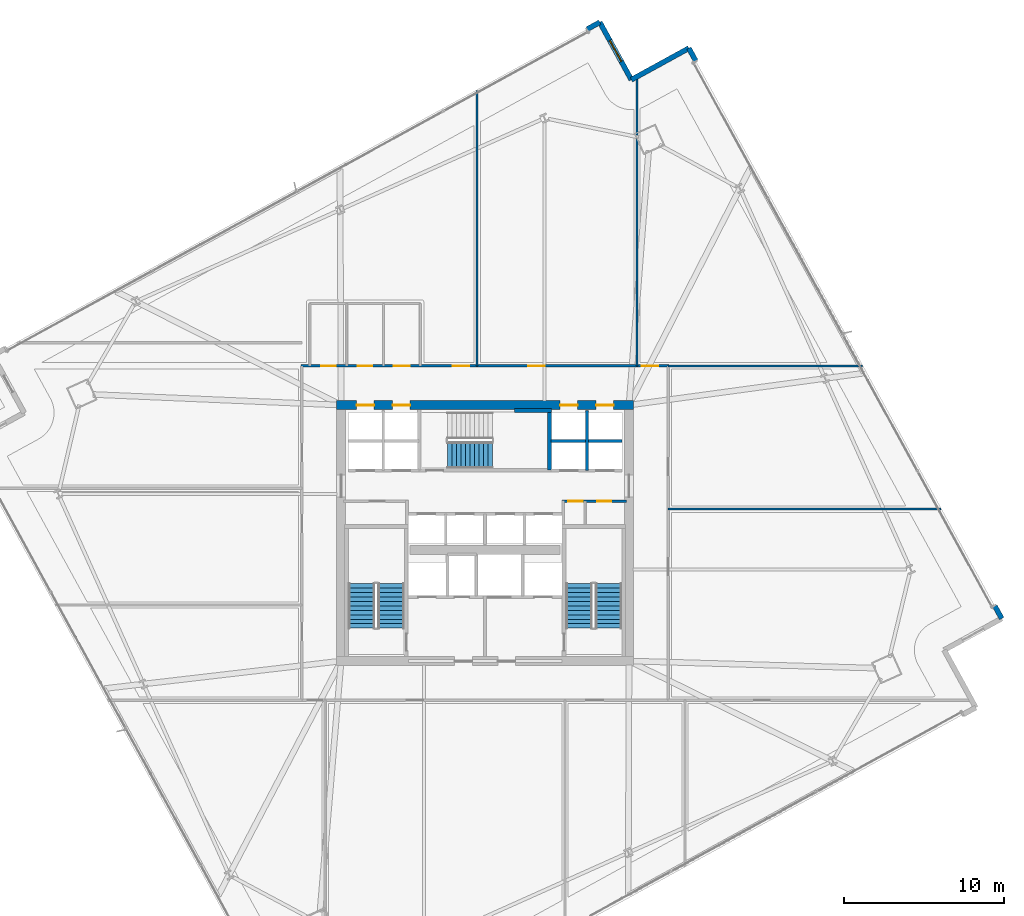
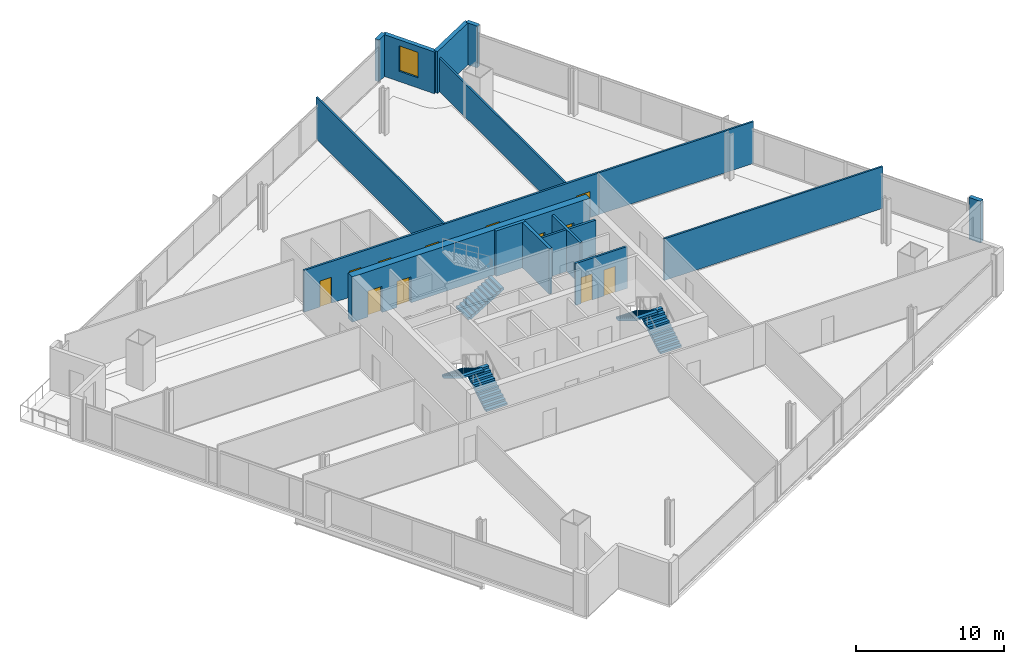
# One storey, part 26 of 33: 16 walls, 12 doors, 5 stair flights, 1 window, 13 openings, 3 elements without a shape of their own.
"""IFC4 building model written with IfcOpenShell, lengths in metres."""

import ifcopenshell
import ifcopenshell.guid

model = None  # the IFC model being written
_history = None  # IfcOwnerHistory: only IFC2X3 demands one
_inside = {}  # id of a spatial element -> (the spatial element, [elements in it])
_under = {}  # id of a project, library or spatial element -> (it, [spatial elements below it])
_declared = {}  # id of a project -> (the project, [libraries it declares])
_typed = {}  # id of a type object -> (the type object, [elements of that type])
_made_of = {}  # id of a material, layer set ... -> (it, [elements and type objects made of it])


def new_model(schema):
    """Start an empty IFC model of exactly this schema.

    Asked for "IFC4X3", IfcOpenShell would pick the latest addendum, in which some entities
    have other attributes; the version numbers below select the first issue.
    IFC2X3 requires an IfcOwnerHistory on every rooted entity: one is made here for all.
    """
    global model, _history
    if schema == "IFC4X3":
        model = ifcopenshell.file(schema_version=(4, 3, 0, 0))
    else:
        model = ifcopenshell.file(schema=schema)
    _inside.clear()
    _under.clear()
    _declared.clear()
    _typed.clear()
    _made_of.clear()
    _history = None
    if model.schema == "IFC2X3":
        org = make("IfcOrganization", Name="unknown")
        user = make(
            "IfcPersonAndOrganization",
            ThePerson=make("IfcPerson", FamilyName="unknown"),
            TheOrganization=org,
        )
        app = make(
            "IfcApplication",
            ApplicationDeveloper=org,
            Version="unknown",
            ApplicationFullName="unknown",
            ApplicationIdentifier="unknown",
        )
        _history = make(
            "IfcOwnerHistory",
            OwningUser=user,
            OwningApplication=app,
            ChangeAction="ADDED",
            CreationDate=0,
        )
    return model


def make(cls, **values):
    """One entity of the class cls with the attributes given. An attribute that is None is left unset."""
    return model.create_entity(
        cls, **{name: value for name, value in values.items() if value is not None}
    )


def rooted(cls, **values):
    """An entity with a GlobalId (a new one), such as an element, a storey or a relation."""
    return make(cls, GlobalId=ifcopenshell.guid.new(), OwnerHistory=_history, **values)


def si_unit(unit_type, name, prefix=None):
    """IfcSIUnit, for example si_unit("LENGTHUNIT", "METRE", prefix="MILLI")."""
    return make("IfcSIUnit", UnitType=unit_type, Prefix=prefix, Name=name)


def assignment(units):
    """IfcUnitAssignment: the units of a project."""
    return None if units is None else make("IfcUnitAssignment", Units=units)


def point(xyz):
    """IfcCartesianPoint."""
    return None if xyz is None else make("IfcCartesianPoint", Coordinates=xyz)


def direction(xyz):
    """IfcDirection."""
    return None if xyz is None else make("IfcDirection", DirectionRatios=xyz)


def frame(location, z_axis=None, x_axis=None):
    """IfcAxis2Placement3D, a coordinate frame: its origin and axes. An axis left out is left unset."""
    return make(
        "IfcAxis2Placement3D",
        Location=point(location),
        Axis=direction(z_axis),
        RefDirection=direction(x_axis),
    )


def frame_2d(location, x_axis=None):
    """IfcAxis2Placement2D, a coordinate frame in the plane: its origin and x axis."""
    return make(
        "IfcAxis2Placement2D", Location=point(location), RefDirection=direction(x_axis)
    )


def origin():
    """The frame at (0, 0, 0) with its axes left unset."""
    return frame((0.0, 0.0, 0.0))


def place(relative_to, where):
    """IfcLocalPlacement: puts the frame where relative to a parent placement (None: the world)."""
    return make(
        "IfcLocalPlacement", PlacementRelTo=relative_to, RelativePlacement=where
    )


def context(
    kind, dimensions, precision=None, world=None, true_north=None, identifier=None
):
    """IfcGeometricRepresentationContext, for example the 3D "Model" context."""
    return make(
        "IfcGeometricRepresentationContext",
        ContextIdentifier=identifier,
        ContextType=kind,
        CoordinateSpaceDimension=dimensions,
        Precision=precision,
        WorldCoordinateSystem=world,
        TrueNorth=true_north,
    )


def subcontext(parent, identifier, kind, view, scale=None):
    """IfcGeometricRepresentationSubContext, for example "Body" below "Model"."""
    return make(
        "IfcGeometricRepresentationSubContext",
        ContextIdentifier=identifier,
        ContextType=kind,
        ParentContext=parent,
        TargetScale=scale,
        TargetView=view,
    )


def project(units=None, contexts=None):
    """IfcProject with its units and contexts."""
    return rooted(
        "IfcProject",
        Name="project",
        RepresentationContexts=contexts,
        UnitsInContext=assignment(units),
    )


def spatial(cls, under=None, at=None, **own):
    """A site, building, storey or space (cls), placed at a placement, below another one or the project."""
    s = rooted(cls, ObjectPlacement=at, **own)
    if under is not None:
        _under.setdefault(under.id(), (under, []))[1].append(s)
    return s


def polyline(points):
    """IfcPolyline through the points."""
    return make("IfcPolyline", Points=[point(p) for p in points])


def profile(cls, at=None, kind="AREA", **sizes):
    """A parametric profile (cls). Its sizes go by their IFC names, for example OverallWidth=200.0."""
    return make(cls, ProfileType=kind, Position=at, **sizes)


def rectangle(**sizes):
    """IfcRectangleProfileDef."""
    return profile("IfcRectangleProfileDef", **sizes)


def outline(outer, holes=None, kind="AREA"):
    """IfcArbitraryClosedProfileDef: a profile drawn as a closed curve; with holes, ...WithVoids."""
    if holes is None:
        return make("IfcArbitraryClosedProfileDef", ProfileType=kind, OuterCurve=outer)
    return make(
        "IfcArbitraryProfileDefWithVoids",
        ProfileType=kind,
        OuterCurve=outer,
        InnerCurves=holes,
    )


def extrude(swept, where, along, depth):
    """IfcExtrudedAreaSolid: the profile swept, set in the frame where, extruded along a direction by depth."""
    return make(
        "IfcExtrudedAreaSolid",
        SweptArea=swept,
        Position=where,
        ExtrudedDirection=direction(along),
        Depth=depth,
    )


def shape(context_of_items, identifier, shape_type, items):
    """IfcShapeRepresentation: the items that make up one representation, for example the "Body"."""
    return make(
        "IfcShapeRepresentation",
        ContextOfItems=context_of_items,
        RepresentationIdentifier=identifier,
        RepresentationType=shape_type,
        Items=items,
    )


def material(Name=None, Category=None):
    """IfcMaterial."""
    return make("IfcMaterial", Name=Name, Category=Category)


def layer(
    of_material, thickness, ventilated=None, Name=None, Category=None, Priority=None
):
    """IfcMaterialLayer: one layer of a wall or slab, of a material (None: an air gap)."""
    return make(
        "IfcMaterialLayer",
        Material=of_material,
        LayerThickness=thickness,
        IsVentilated=ventilated,
        Name=Name,
        Category=Category,
        Priority=Priority,
    )


def layer_set(layers, Name=None):
    """IfcMaterialLayerSet."""
    return make("IfcMaterialLayerSet", MaterialLayers=layers, LayerSetName=Name)


def made_of(thing, what):
    """Note that an element or type object is made of a material, layer set ...; save() writes the relation."""
    if what is not None:
        _made_of.setdefault(what.id(), (what, []))[1].append(thing)
    return thing


def type_object(cls, material=None, **own):
    """A type object (cls), such as IfcWallType, which elements share."""
    return made_of(rooted(cls, **own), material)


def element(
    cls,
    number,
    at=None,
    inside=None,
    cuts=None,
    type_object=None,
    material=None,
    context=None,
    identifier="Body",
    shape_type=None,
    held_by="IfcProductDefinitionShape",
    body=None,
    shapes=None,
    **own,
):
    """One element of the class cls, such as IfcWall. Its Tag is "e" and its number.

    at: its placement. inside: the storey or other place that contains it. cuts: it is an
    opening in that element (IfcRelVoidsElement). A single representation is given by context,
    identifier, shape_type and body (its items); several are given by shapes. held_by: the class
    of the entity that holds the representations. save() writes the other relations.
    """
    e = rooted(cls, Tag="e%d" % number, ObjectPlacement=at, **own)
    if body is not None:
        shapes = [shape(context, identifier, shape_type, body)]
    if shapes is not None:
        e.Representation = make(held_by, Representations=shapes)
    if inside is not None:
        _inside.setdefault(inside.id(), (inside, []))[1].append(e)
    if cuts is not None:
        rooted(
            "IfcRelVoidsElement", RelatingBuildingElement=cuts, RelatedOpeningElement=e
        )
    if type_object is not None:
        _typed.setdefault(type_object.id(), (type_object, []))[1].append(e)
    return made_of(e, material)


def fill(opening, filler):
    """IfcRelFillsElement: the door or window that sits in an opening."""
    return rooted(
        "IfcRelFillsElement",
        RelatingOpeningElement=opening,
        RelatedBuildingElement=filler,
    )


def aggregate(whole, parts):
    """IfcRelAggregates: a whole, such as a stair, and the parts it consists of."""
    return rooted("IfcRelAggregates", RelatingObject=whole, RelatedObjects=parts)


def save(model, path):
    """Write the relations noted so far, then the file.

    IfcRelAggregates (storeys below a building ...), IfcRelContainedInSpatialStructure (elements
    in a storey), IfcRelDefinesByType, IfcRelAssociatesMaterial and IfcRelDeclares: one each for
    every whole, place, type object, material and project.
    """
    for whole, parts in _under.values():
        aggregate(whole, parts)
    for where, things in _inside.values():
        rooted(
            "IfcRelContainedInSpatialStructure",
            RelatedElements=things,
            RelatingStructure=where,
        )
    for kind, things in _typed.values():
        rooted("IfcRelDefinesByType", RelatedObjects=things, RelatingType=kind)
    for what, things in _made_of.values():
        rooted("IfcRelAssociatesMaterial", RelatedObjects=things, RelatingMaterial=what)
    for by, libraries in _declared.values():
        rooted("IfcRelDeclares", RelatingContext=by, RelatedDefinitions=libraries)
    model.write(path)


model = new_model("IFC4")

# Units and contexts
model_context = context("Model", 3, precision=1e-05, world=origin(), true_north=direction((0.0, 1.0)))
body_context = subcontext(model_context, "Body", "Model", "MODEL_VIEW")
ifc_project = project(units=[si_unit("LENGTHUNIT", "METRE"), si_unit("AREAUNIT", "SQUARE_METRE"), si_unit("VOLUMEUNIT", "CUBIC_METRE"), si_unit("PLANEANGLEUNIT", "RADIAN"), si_unit("MASSUNIT", "GRAM", prefix="KILO")], contexts=[model_context])

# Site, building, storey
site_placement = place(None, origin())
site = spatial("IfcSite", under=ifc_project, at=site_placement, CompositionType="ELEMENT")
building_placement = place(site_placement, origin())
building = spatial("IfcBuilding", under=site, at=building_placement, Name="Haldenkirk Collegiate Tower", CompositionType="ELEMENT")
storey_placement = place(building_placement, frame((0.0, 0.0, 124.199951171875)))
storey = spatial("IfcBuildingStorey", under=building, at=storey_placement, Name="L30", CompositionType="ELEMENT", Elevation=124.199951171875)

# Wall, openings, doors
ifc_material_1 = material(Name="Concrete f'c 70 MPa", Category="concrete")
ifc_layer_1 = layer(ifc_material_1, 0.550048828125)
ifc_layer_set_1 = layer_set([ifc_layer_1], Name="Concrete f'c 70 MPa")
wall_type_1 = type_object("IfcWallType", Name="WL-CORE-550", PredefinedType="SHEAR", material=ifc_layer_set_1)
wall_1_placement = place(storey_placement, frame((26.72509765625, 34.0, 0.0), z_axis=(0.0, 0.0, 1.0), x_axis=(1.0, 0.0, 0.0)))
wall_1 = element("IfcWall", 1, at=wall_1_placement, inside=storey, type_object=wall_type_1, Name="L30 central core shear wall N", PredefinedType="SHEAR", context=body_context, shape_type="SweptSolid", body=[
    extrude(rectangle(XDim=18.5498046875, YDim=0.550048828125, at=frame_2d((9.27490234375, 0.0))), origin(), (0.0, 0.0, 1.0), 3.75),
])
opening_1_placement = place(wall_1_placement, frame((1.239990234375, 0.0, 0.0)))
opening_1 = element("IfcOpeningElement", 2, at=opening_1_placement, cuts=wall_1, Name="Opening LD-11", PredefinedType="OPENING", context=body_context, shape_type="SweptSolid", body=[
    extrude(rectangle(XDim=1.10009765625, YDim=2.14990234375, at=frame_2d((0.550048828125, 1.074951171875))), frame((0.0, 0.284912109375, 0.0), z_axis=(0.0, -1.0, 0.0), x_axis=(1.0, 0.0, 0.0)), (0.0, 0.0, 1.0), 0.570068359375),
])
opening_2_placement = place(wall_1_placement, frame((3.489990234375, 0.0, 0.0)))
opening_2 = element("IfcOpeningElement", 3, at=opening_2_placement, cuts=wall_1, Name="Opening LD-11", PredefinedType="OPENING", context=body_context, shape_type="SweptSolid", body=[
    extrude(rectangle(XDim=1.10009765625, YDim=2.14990234375, at=frame_2d((0.550048828125, 1.074951171875))), frame((0.0, 0.284912109375, 0.0), z_axis=(0.0, -1.0, 0.0), x_axis=(1.0, 0.0, 0.0)), (0.0, 0.0, 1.0), 0.570068359375),
])
opening_3_placement = place(wall_1_placement, frame((13.9599609375, 0.0, 0.0)))
opening_3 = element("IfcOpeningElement", 4, at=opening_3_placement, cuts=wall_1, Name="Opening LD-11", PredefinedType="OPENING", context=body_context, shape_type="SweptSolid", body=[
    extrude(rectangle(XDim=1.10009765625, YDim=2.14990234375, at=frame_2d((0.550048828125, 1.074951171875))), frame((0.0, 0.284912109375, 0.0), z_axis=(0.0, -1.0, 0.0), x_axis=(1.0, 0.0, 0.0)), (0.0, 0.0, 1.0), 0.570068359375),
])
opening_4_placement = place(wall_1_placement, frame((16.2099609375, 0.0, 0.0)))
opening_4 = element("IfcOpeningElement", 5, at=opening_4_placement, cuts=wall_1, Name="Opening LD-11", PredefinedType="OPENING", context=body_context, shape_type="SweptSolid", body=[
    extrude(rectangle(XDim=1.10009765625, YDim=2.14990234375, at=frame_2d((0.550048828125, 1.074951171875))), frame((0.0, 0.284912109375, 0.0), z_axis=(0.0, -1.0, 0.0), x_axis=(1.0, 0.0, 0.0)), (0.0, 0.0, 1.0), 0.570068359375),
])
ifc_material_2 = material(Name="Brushed architectural stainless steel", Category="steel")
ifc_layer_2 = layer(ifc_material_2, 0.06005859375)
ifc_layer_set_2 = layer_set([ifc_layer_2], Name="Brushed architectural stainless steel")
door_type_1 = type_object("IfcDoorType", Name="LD-PASS-1100", OperationType="NOTDEFINED", PredefinedType="DOOR", material=ifc_layer_set_2)
door_1_placement = place(opening_1_placement, origin())
door_1 = element("IfcDoor", 6, at=door_1_placement, inside=storey, type_object=door_type_1, Name="L30 Elevator PL3 sliding landing door", OperationType="SLIDING_TO_LEFT", OverallHeight=2.14990234375, OverallWidth=1.10009765625, PredefinedType="DOOR", context=body_context, shape_type="SweptSolid", body=[
    extrude(rectangle(XDim=1.10009765625, YDim=2.14990234375, at=frame_2d((0.550048828125, 1.074951171875))), frame((0.0, 0.02490234375, 0.0), z_axis=(0.0, -1.0, 0.0), x_axis=(1.0, 0.0, 0.0)), (0.0, 0.0, 1.0), 0.050048828125),
])
fill(opening_1, door_1)
door_2_placement = place(opening_2_placement, origin())
door_2 = element("IfcDoor", 7, at=door_2_placement, inside=storey, type_object=door_type_1, Name="L30 Elevator PL4 sliding landing door", OperationType="SLIDING_TO_LEFT", OverallHeight=2.14990234375, OverallWidth=1.10009765625, PredefinedType="DOOR", context=body_context, shape_type="SweptSolid", body=[
    extrude(rectangle(XDim=1.10009765625, YDim=2.14990234375, at=frame_2d((0.550048828125, 1.074951171875))), frame((0.0, 0.02490234375, 0.0), z_axis=(0.0, -1.0, 0.0), x_axis=(1.0, 0.0, 0.0)), (0.0, 0.0, 1.0), 0.050048828125),
])
fill(opening_2, door_2)
door_3_placement = place(opening_3_placement, origin())
door_3 = element("IfcDoor", 8, at=door_3_placement, inside=storey, type_object=door_type_1, Name="L30 Elevator PM3 sliding landing door", OperationType="SLIDING_TO_LEFT", OverallHeight=2.14990234375, OverallWidth=1.10009765625, PredefinedType="DOOR", context=body_context, shape_type="SweptSolid", body=[
    extrude(rectangle(XDim=1.10009765625, YDim=2.14990234375, at=frame_2d((0.550048828125, 1.074951171875))), frame((0.0, 0.02490234375, 0.0), z_axis=(0.0, -1.0, 0.0), x_axis=(1.0, 0.0, 0.0)), (0.0, 0.0, 1.0), 0.050048828125),
])
fill(opening_3, door_3)
door_4_placement = place(opening_4_placement, origin())
door_4 = element("IfcDoor", 9, at=door_4_placement, inside=storey, type_object=door_type_1, Name="L30 Elevator PM4 sliding landing door", OperationType="SLIDING_TO_LEFT", OverallHeight=2.14990234375, OverallWidth=1.10009765625, PredefinedType="DOOR", context=body_context, shape_type="SweptSolid", body=[
    extrude(rectangle(XDim=1.10009765625, YDim=2.14990234375, at=frame_2d((0.550048828125, 1.074951171875))), frame((0.0, 0.02490234375, 0.0), z_axis=(0.0, -1.0, 0.0), x_axis=(1.0, 0.0, 0.0)), (0.0, 0.0, 1.0), 0.050048828125),
])
fill(opening_4, door_4)

# Walls
ifc_material_3 = material(Name="Precast concrete f'c 40 MPa", Category="concrete")
ifc_layer_3 = layer(ifc_material_3, 0.320068359375)
ifc_layer_set_3 = layer_set([ifc_layer_3], Name="Precast concrete f'c 40 MPa")
wall_type_2 = type_object("IfcWallType", Name="WL-EXT-TWR-320", PredefinedType="STANDARD", material=ifc_layer_set_3)
for number, where, z_axis, x_axis, name in (
    (10, (48.739501953125, 56.314453125, 0.0), (0.0, 0.0, 1.0), (0.480960428181, -0.876742303373, 0.0), "L30 precast corner pier EL"),
    (11, (67.870849609375, 21.44287109375, 0.0), (0.0, 0.0, 1.0), (0.480960428181, -0.876742303373, 0.0), "L30 precast corner pier ER"),
):
    element("IfcWall", number, at=place(storey_placement, frame(where, z_axis=z_axis, x_axis=x_axis)), inside=storey, type_object=wall_type_2, Name=name, PredefinedType="STANDARD", context=body_context, shape_type="SweptSolid", body=[
        extrude(rectangle(XDim=0.89990234375, YDim=0.320068359375, at=frame_2d((0.449951171875, 0.0))), origin(), (0.0, 0.0, 1.0), 3.449951171875),
    ])
wall_2_placement = place(storey_placement, frame((45.14501953125, 54.342529296875, 0.0), z_axis=(0.0, 0.0, 1.0), x_axis=(0.876734650503, 0.480974378327, 0.0)))
element("IfcWall", 12, at=wall_2_placement, inside=storey, type_object=wall_type_2, Name="L30 bronze precast notch wall 05", PredefinedType="STANDARD", context=body_context, shape_type="SweptSolid", body=[
    extrude(rectangle(XDim=4.099853515625, YDim=0.320068359375, at=frame_2d((2.0498046875, 0.0))), origin(), (0.0, 0.0, 1.0), 3.449951171875),
])

# Wall, opening, window
wall_3_placement = place(storey_placement, frame((43.1728515625, 57.93701171875, 0.0), z_axis=(0.0, 0.0, 1.0), x_axis=(0.481020149237, -0.876709539145, 0.0)))
wall_3 = element("IfcWall", 13, at=wall_3_placement, inside=storey, type_object=wall_type_2, Name="L30 bronze precast notch wall 06", PredefinedType="STANDARD", context=body_context, shape_type="SweptSolid", body=[
    extrude(rectangle(XDim=4.099853515625, YDim=0.320068359375, at=frame_2d((2.0498046875, 0.0))), origin(), (0.0, 0.0, 1.0), 3.449951171875),
])
opening_5_placement = place(wall_3_placement, frame((1.300048828125, 0.0, 0.85009765625)))
opening_5 = element("IfcOpeningElement", 14, at=opening_5_placement, cuts=wall_3, Name="Opening W-04", PredefinedType="OPENING", context=body_context, shape_type="SweptSolid", body=[
    extrude(rectangle(XDim=1.5, YDim=2.10009765625, at=frame_2d((0.75, 1.050048828125))), frame((0.0, 0.169921875, 0.0), z_axis=(0.0, -1.0, 0.0), x_axis=(1.0, 0.0, 0.0)), (0.0, 0.0, 1.0), 0.340087890625),
])
ifc_material_4 = material(Name="Low-E argon triple insulating glass", Category="glass")
ifc_layer_4 = layer(ifc_material_4, 0.090087890625)
ifc_layer_set_4 = layer_set([ifc_layer_4], Name="Low-E argon triple insulating glass")
window_type = type_object("IfcWindowType", Name="WN-Z2-1500X2100", PartitioningType="SINGLE_PANEL", PredefinedType="WINDOW", material=ifc_layer_set_4)
window_placement = place(opening_5_placement, origin())
window = element("IfcWindow", 15, at=window_placement, inside=storey, type_object=window_type, Name="L30 precast-frame academic window 5", OverallHeight=2.10009765625, OverallWidth=1.5, PartitioningType="SINGLE_PANEL", PredefinedType="WINDOW", context=body_context, shape_type="SweptSolid", body=[
    extrude(rectangle(XDim=1.5, YDim=2.10009765625, at=frame_2d((0.75, 1.050048828125))), frame((0.0, 0.030029296875, 0.0), z_axis=(0.0, -1.0, 0.0), x_axis=(1.0, 0.0, 0.0)), (0.0, 0.0, 1.0), 0.06005859375),
])
fill(opening_5, window)

# Wall
wall_4_placement = place(storey_placement, frame((42.3837890625, 57.504150390625, 0.0), z_axis=(0.0, 0.0, 1.0), x_axis=(0.876742303373, 0.480960428181, 0.0)))
element("IfcWall", 16, at=wall_4_placement, inside=storey, type_object=wall_type_2, Name="L30 precast corner pier NR", PredefinedType="STANDARD", context=body_context, shape_type="SweptSolid", body=[
    extrude(rectangle(XDim=0.89990234375, YDim=0.320068359375, at=frame_2d((0.449951171875, 0.0))), origin(), (0.0, 0.0, 1.0), 3.449951171875),
])

# Wall, openings, doors
ifc_material_5 = material(Name="Acoustic fire-rated gypsum partition", Category="concrete")
ifc_layer_5 = layer(ifc_material_5, 0.159912109375)
ifc_layer_set_5 = layer_set([ifc_layer_5], Name="Acoustic fire-rated gypsum partition")
wall_type_3 = type_object("IfcWallType", Name="WL-INT-CORR-160", PredefinedType="PARTITIONING", material=ifc_layer_set_5)
wall_5_placement = place(storey_placement, frame((40.800048828125, 27.97998046875, 0.0), z_axis=(0.0, 0.0, 1.0), x_axis=(1.0, 0.0, 0.0)))
wall_5 = element("IfcWall", 17, at=wall_5_placement, inside=storey, type_object=wall_type_3, Name="L30 interior partition IW-L30-VCSE-N", PredefinedType="PARTITIONING", context=body_context, shape_type="SweptSolid", body=[
    extrude(rectangle(XDim=4.050048828125, YDim=0.159912109375, at=frame_2d((2.02490234375, 0.0))), origin(), (0.0, 0.0, 1.0), 3.449951171875),
])
opening_6_placement = place(wall_5_placement, frame((0.407470703125, 0.0, 0.0)))
opening_6 = element("IfcOpeningElement", 18, at=opening_6_placement, cuts=wall_5, Name="Opening D-11", PredefinedType="OPENING", context=body_context, shape_type="SweptSolid", body=[
    extrude(rectangle(XDim=0.89990234375, YDim=2.14990234375, at=frame_2d((0.449951171875, 1.074951171875))), frame((0.0, 0.08984375, 0.0), z_axis=(0.0, -1.0, 0.0), x_axis=(1.0, 0.0, 0.0)), (0.0, 0.0, 1.0), 0.179931640625),
])
opening_7_placement = place(wall_5_placement, frame((2.199951171875, 0.0, 0.0)))
opening_7 = element("IfcOpeningElement", 19, at=opening_7_placement, cuts=wall_5, Name="Opening D-11", PredefinedType="OPENING", context=body_context, shape_type="SweptSolid", body=[
    extrude(rectangle(XDim=0.89990234375, YDim=2.14990234375, at=frame_2d((0.449951171875, 1.074951171875))), frame((0.0, 0.08984375, 0.0), z_axis=(0.0, -1.0, 0.0), x_axis=(1.0, 0.0, 0.0)), (0.0, 0.0, 1.0), 0.179931640625),
])
ifc_material_6 = material(Name="Solid-core architectural oak fire door", Category="wood")
ifc_layer_6 = layer(ifc_material_6, 0.06005859375)
ifc_layer_set_6 = layer_set([ifc_layer_6], Name="Solid-core architectural oak fire door")
door_type_2 = type_object("IfcDoorType", Name="DR-INT-FD60-900", OperationType="NOTDEFINED", PredefinedType="DOOR", material=ifc_layer_set_6)
door_5_placement = place(opening_6_placement, origin())
door_5 = element("IfcDoor", 20, at=door_5_placement, inside=storey, type_object=door_type_2, Name="L30 core copy room door", OperationType="SINGLE_SWING_LEFT", OverallHeight=2.14990234375, OverallWidth=0.89990234375, PredefinedType="DOOR", context=body_context, shape_type="SweptSolid", body=[
    extrude(rectangle(XDim=0.89990234375, YDim=2.14990234375, at=frame_2d((0.449951171875, 1.074951171875))), frame((0.0, 0.02490234375, 0.0), z_axis=(0.0, -1.0, 0.0), x_axis=(1.0, 0.0, 0.0)), (0.0, 0.0, 1.0), 0.050048828125),
])
fill(opening_6, door_5)
door_6_placement = place(opening_7_placement, origin())
door_6 = element("IfcDoor", 21, at=door_6_placement, inside=storey, type_object=door_type_2, Name="L30 core records store door", OperationType="SINGLE_SWING_RIGHT", OverallHeight=2.14990234375, OverallWidth=0.89990234375, PredefinedType="DOOR", context=body_context, shape_type="SweptSolid", body=[
    extrude(rectangle(XDim=0.89990234375, YDim=2.14990234375, at=frame_2d((0.449951171875, 1.074951171875))), frame((0.0, 0.02490234375, 0.0), z_axis=(0.0, -1.0, 0.0), x_axis=(1.0, 0.0, 0.0)), (0.0, 0.0, 1.0), 0.050048828125),
])
fill(opening_7, door_6)

wall_6_placement = place(storey_placement, frame((24.5, 36.449951171875, 0.0), z_axis=(0.0, 0.0, 1.0), x_axis=(1.0, 0.0, 0.0)))
wall_6 = element("IfcWall", 22, at=wall_6_placement, inside=storey, type_object=wall_type_3, Name="L30 interior partition IW-L30-CN", PredefinedType="PARTITIONING", context=body_context, shape_type="SweptSolid", body=[
    extrude(rectangle(XDim=23.0, YDim=0.159912109375, at=frame_2d((11.5, 0.0))), origin(), (0.0, 0.0, 1.0), 3.449951171875),
])
opening_8_placement = place(wall_6_placement, frame((1.25, 0.0, 0.0)))
opening_8 = element("IfcOpeningElement", 23, at=opening_8_placement, cuts=wall_6, Name="Opening D-13", PredefinedType="OPENING", context=body_context, shape_type="SweptSolid", body=[
    extrude(rectangle(XDim=0.89990234375, YDim=2.14990234375, at=frame_2d((0.449951171875, 1.074951171875))), frame((0.0, 0.08984375, 0.0), z_axis=(0.0, -1.0, 0.0), x_axis=(1.0, 0.0, 0.0)), (0.0, 0.0, 1.0), 0.179931640625),
])
opening_9_placement = place(wall_6_placement, frame((3.550048828125, 0.0, 0.0)))
opening_9 = element("IfcOpeningElement", 24, at=opening_9_placement, cuts=wall_6, Name="Opening D-13", PredefinedType="OPENING", context=body_context, shape_type="SweptSolid", body=[
    extrude(rectangle(XDim=0.89990234375, YDim=2.14990234375, at=frame_2d((0.449951171875, 1.074951171875))), frame((0.0, 0.08984375, 0.0), z_axis=(0.0, -1.0, 0.0), x_axis=(1.0, 0.0, 0.0)), (0.0, 0.0, 1.0), 0.179931640625),
])
opening_10_placement = place(wall_6_placement, frame((5.800048828125, 0.0, 0.0)))
opening_10 = element("IfcOpeningElement", 25, at=opening_10_placement, cuts=wall_6, Name="Opening D-14", PredefinedType="OPENING", context=body_context, shape_type="SweptSolid", body=[
    extrude(rectangle(XDim=1.0, YDim=2.14990234375, at=frame_2d((0.5, 1.074951171875))), frame((0.0, 0.08984375, 0.0), z_axis=(0.0, -1.0, 0.0), x_axis=(1.0, 0.0, 0.0)), (0.0, 0.0, 1.0), 0.179931640625),
])
opening_11_placement = place(wall_6_placement, frame((9.465087890625, 0.0, 0.0)))
opening_11 = element("IfcOpeningElement", 26, at=opening_11_placement, cuts=wall_6, Name="Opening D-09", PredefinedType="OPENING", context=body_context, shape_type="SweptSolid", body=[
    extrude(rectangle(XDim=1.050048828125, YDim=2.14990234375, at=frame_2d((0.52490234375, 1.074951171875))), frame((0.0, 0.08984375, 0.0), z_axis=(0.0, -1.0, 0.0), x_axis=(1.0, 0.0, 0.0)), (0.0, 0.0, 1.0), 0.179931640625),
])
opening_12_placement = place(wall_6_placement, frame((14.195068359375, 0.0, 0.0)))
opening_12 = element("IfcOpeningElement", 27, at=opening_12_placement, cuts=wall_6, Name="Opening D-09", PredefinedType="OPENING", context=body_context, shape_type="SweptSolid", body=[
    extrude(rectangle(XDim=1.050048828125, YDim=2.14990234375, at=frame_2d((0.52490234375, 1.074951171875))), frame((0.0, 0.08984375, 0.0), z_axis=(0.0, -1.0, 0.0), x_axis=(1.0, 0.0, 0.0)), (0.0, 0.0, 1.0), 0.179931640625),
])
opening_13_placement = place(wall_6_placement, frame((21.280029296875, 0.0, 0.0)))
opening_13 = element("IfcOpeningElement", 28, at=opening_13_placement, cuts=wall_6, Name="Opening D-09", PredefinedType="OPENING", context=body_context, shape_type="SweptSolid", body=[
    extrude(rectangle(XDim=1.050048828125, YDim=2.14990234375, at=frame_2d((0.52490234375, 1.074951171875))), frame((0.0, 0.08984375, 0.0), z_axis=(0.0, -1.0, 0.0), x_axis=(1.0, 0.0, 0.0)), (0.0, 0.0, 1.0), 0.179931640625),
])
ifc_layer_7 = layer(ifc_material_6, 0.06005859375)
ifc_layer_set_7 = layer_set([ifc_layer_7], Name="Solid-core architectural oak fire door")
door_type_3 = type_object("IfcDoorType", Name="DR-INT-ACC-1000", OperationType="NOTDEFINED", PredefinedType="DOOR", material=ifc_layer_set_7)
door_7_placement = place(opening_10_placement, origin())
door_7 = element("IfcDoor", 29, at=door_7_placement, inside=storey, type_object=door_type_3, Name="L30 Accessible WC door", OperationType="SINGLE_SWING_LEFT", OverallHeight=2.14990234375, OverallWidth=1.0, PredefinedType="DOOR", context=body_context, shape_type="SweptSolid", body=[
    extrude(rectangle(XDim=1.0, YDim=2.14990234375, at=frame_2d((0.5, 1.074951171875))), frame((0.0, 0.02490234375, 0.0), z_axis=(0.0, -1.0, 0.0), x_axis=(1.0, 0.0, 0.0)), (0.0, 0.0, 1.0), 0.050048828125),
])
fill(opening_10, door_7)
ifc_layer_8 = layer(ifc_material_6, 0.06005859375)
ifc_layer_set_8 = layer_set([ifc_layer_8], Name="Solid-core architectural oak fire door")
door_type_4 = type_object("IfcDoorType", Name="DR-INT-FD60-1050", OperationType="NOTDEFINED", PredefinedType="DOOR", material=ifc_layer_set_8)
door_8_placement = place(opening_11_placement, origin())
door_8 = element("IfcDoor", 30, at=door_8_placement, inside=storey, type_object=door_type_4, Name="L30 Urbanism Pin-Up Studio 5 door", OperationType="SINGLE_SWING_RIGHT", OverallHeight=2.14990234375, OverallWidth=1.050048828125, PredefinedType="DOOR", context=body_context, shape_type="SweptSolid", body=[
    extrude(rectangle(XDim=1.050048828125, YDim=2.14990234375, at=frame_2d((0.52490234375, 1.074951171875))), frame((0.0, 0.02490234375, 0.0), z_axis=(0.0, -1.0, 0.0), x_axis=(1.0, 0.0, 0.0)), (0.0, 0.0, 1.0), 0.050048828125),
])
fill(opening_11, door_8)
door_9_placement = place(opening_12_placement, origin())
door_9 = element("IfcDoor", 31, at=door_9_placement, inside=storey, type_object=door_type_4, Name="L30 Exhibition Gallery Studio 6 door", OperationType="SINGLE_SWING_LEFT", OverallHeight=2.14990234375, OverallWidth=1.050048828125, PredefinedType="DOOR", context=body_context, shape_type="SweptSolid", body=[
    extrude(rectangle(XDim=1.050048828125, YDim=2.14990234375, at=frame_2d((0.52490234375, 1.074951171875))), frame((0.0, 0.02490234375, 0.0), z_axis=(0.0, -1.0, 0.0), x_axis=(1.0, 0.0, 0.0)), (0.0, 0.0, 1.0), 0.050048828125),
])
fill(opening_12, door_9)
door_10_placement = place(opening_13_placement, origin())
door_10 = element("IfcDoor", 32, at=door_10_placement, inside=storey, type_object=door_type_4, Name="L30 Academic Press Bookshop 7 door", OperationType="SINGLE_SWING_RIGHT", OverallHeight=2.14990234375, OverallWidth=1.050048828125, PredefinedType="DOOR", context=body_context, shape_type="SweptSolid", body=[
    extrude(rectangle(XDim=1.050048828125, YDim=2.14990234375, at=frame_2d((0.52490234375, 1.074951171875))), frame((0.0, 0.02490234375, 0.0), z_axis=(0.0, -1.0, 0.0), x_axis=(1.0, 0.0, 0.0)), (0.0, 0.0, 1.0), 0.050048828125),
])
fill(opening_13, door_10)
ifc_layer_9 = layer(ifc_material_6, 0.06005859375)
ifc_layer_set_9 = layer_set([ifc_layer_9], Name="Solid-core architectural oak fire door")
door_type_5 = type_object("IfcDoorType", Name="DR-INT-STD-900", OperationType="NOTDEFINED", PredefinedType="DOOR", material=ifc_layer_set_9)
door_11_placement = place(opening_8_placement, origin())
door_11 = element("IfcDoor", 33, at=door_11_placement, inside=storey, type_object=door_type_5, Name="L30 Male WC door", OperationType="SINGLE_SWING_LEFT", OverallHeight=2.14990234375, OverallWidth=0.89990234375, PredefinedType="DOOR", context=body_context, shape_type="SweptSolid", body=[
    extrude(rectangle(XDim=0.89990234375, YDim=2.14990234375, at=frame_2d((0.449951171875, 1.074951171875))), frame((0.0, 0.02490234375, 0.0), z_axis=(0.0, -1.0, 0.0), x_axis=(1.0, 0.0, 0.0)), (0.0, 0.0, 1.0), 0.050048828125),
])
fill(opening_8, door_11)
door_12_placement = place(opening_9_placement, origin())
door_12 = element("IfcDoor", 34, at=door_12_placement, inside=storey, type_object=door_type_5, Name="L30 Female WC door", OperationType="SINGLE_SWING_RIGHT", OverallHeight=2.14990234375, OverallWidth=0.89990234375, PredefinedType="DOOR", context=body_context, shape_type="SweptSolid", body=[
    extrude(rectangle(XDim=0.89990234375, YDim=2.14990234375, at=frame_2d((0.449951171875, 1.074951171875))), frame((0.0, 0.02490234375, 0.0), z_axis=(0.0, -1.0, 0.0), x_axis=(1.0, 0.0, 0.0)), (0.0, 0.0, 1.0), 0.050048828125),
])
fill(opening_9, door_12)

# Walls
ifc_layer_10 = layer(ifc_material_5, 0.139892578125)
ifc_layer_set_10 = layer_set([ifc_layer_10], Name="Acoustic fire-rated gypsum partition")
wall_type_4 = type_object("IfcWallType", Name="WL-INT-DIV-140", PredefinedType="PARTITIONING", material=ifc_layer_set_10)
wall_7_placement = place(storey_placement, frame((47.449951171875, 36.449951171875, 0.0), z_axis=(0.0, 0.0, 1.0), x_axis=(1.0, 0.0, 0.0)))
element("IfcWall", 35, at=wall_7_placement, inside=storey, type_object=wall_type_4, Name="L30 interior partition IW-L30-BEN", PredefinedType="PARTITIONING", context=body_context, shape_type="SweptSolid", body=[
    extrude(rectangle(XDim=12.141845703125, YDim=0.139892578125, at=frame_2d((6.07080078125, 0.0))), origin(), (0.0, 0.0, 1.0), 3.449951171875),
])
wall_8_placement = place(storey_placement, frame((35.5, 36.449951171875, 0.0), z_axis=(0.0, 0.0, 1.0), x_axis=(0.0, 1.0, 0.0)))
element("IfcWall", 36, at=wall_8_placement, inside=storey, type_object=wall_type_4, Name="L30 interior partition IW-L30-RN1", PredefinedType="PARTITIONING", context=body_context, shape_type="SweptSolid", body=[
    extrude(rectangle(XDim=17.23193359375, YDim=0.139892578125, at=frame_2d((8.615966796875, 0.0))), origin(), (0.0, 0.0, 1.0), 3.449951171875),
])
wall_9_placement = place(storey_placement, frame((45.5, 36.449951171875, 0.0), z_axis=(0.0, 0.0, 1.0), x_axis=(0.0, 1.0, 0.0)))
element("IfcWall", 37, at=wall_9_placement, inside=storey, type_object=wall_type_4, Name="L30 interior partition IW-L30-RN2", PredefinedType="PARTITIONING", context=body_context, shape_type="SweptSolid", body=[
    extrude(rectangle(XDim=18.041748046875, YDim=0.139892578125, at=frame_2d((9.02099609375, 0.0))), origin(), (0.0, 0.0, 1.0), 2.7490234375),
])
wall_10_placement = place(storey_placement, frame((47.449951171875, 27.5, 0.0), z_axis=(0.0, 0.0, 1.0), x_axis=(1.0, 0.0, 0.0)))
element("IfcWall", 38, at=wall_10_placement, inside=storey, type_object=wall_type_4, Name="L30 interior partition IW-L30-RE1", PredefinedType="PARTITIONING", context=body_context, shape_type="SweptSolid", body=[
    extrude(rectangle(XDim=17.05224609375, YDim=0.139892578125, at=frame_2d((8.526123046875, 0.0))), origin(), (0.0, 0.0, 1.0), 3.449951171875),
])
ifc_material_7 = material(Name="Fire-rated gypsum shaftboard assembly", Category="concrete")
ifc_layer_11 = layer(ifc_material_7, 0.179931640625)
ifc_layer_set_11 = layer_set([ifc_layer_11], Name="Fire-rated gypsum shaftboard assembly")
wall_type_5 = type_object("IfcWallType", Name="WL-INT-SHAFT-180", PredefinedType="PARTITIONING", material=ifc_layer_set_11)
wall_11_placement = place(storey_placement, frame((40.1201171875, 31.75, 0.0), z_axis=(0.0, 0.0, 1.0), x_axis=(1.0, 0.0, 0.0)))
element("IfcWall", 39, at=wall_11_placement, inside=storey, type_object=wall_type_5, Name="L30 interior partition IW-L30-PMM", PredefinedType="PARTITIONING", context=body_context, shape_type="SweptSolid", body=[
    extrude(rectangle(XDim=4.429931640625, YDim=0.179931640625, at=frame_2d((2.21484375, 0.0))), origin(), (0.0, 0.0, 1.0), 3.449951171875),
])
wall_12_placement = place(storey_placement, frame((42.3701171875, 29.89990234375, 0.0), z_axis=(0.0, 0.0, 1.0), x_axis=(0.0, 1.0, 0.0)))
element("IfcWall", 40, at=wall_12_placement, inside=storey, type_object=wall_type_5, Name="L30 interior partition IW-L30-PMV", PredefinedType="PARTITIONING", context=body_context, shape_type="SweptSolid", body=[
    extrude(rectangle(XDim=3.75, YDim=0.179931640625, at=frame_2d((1.875, 0.0))), origin(), (0.0, 0.0, 1.0), 3.449951171875),
])
ifc_material_8 = material(Name="Concrete f'c 55 MPa", Category="concrete")
ifc_layer_12 = layer(ifc_material_8, 0.239990234375)
ifc_layer_set_12 = layer_set([ifc_layer_12], Name="Concrete f'c 55 MPa")
wall_type_6 = type_object("IfcWallType", Name="WL-SHAFT-240", PredefinedType="SHEAR", material=ifc_layer_set_12)
wall_13_placement = place(storey_placement, frame((40.02001953125, 29.929931640625, 0.0), z_axis=(0.0, 0.0, 1.0), x_axis=(0.0, 1.0, 0.0)))
element("IfcWall", 41, at=wall_13_placement, inside=storey, type_object=wall_type_6, Name="L30 stair shaft shear wall SW-L30-ST3E", PredefinedType="SHEAR", context=body_context, shape_type="SweptSolid", body=[
    extrude(rectangle(XDim=3.85009765625, YDim=0.239990234375, at=frame_2d((1.925048828125, 0.0))), origin(), (0.0, 0.0, 1.0), 3.75),
])
wall_14_placement = place(storey_placement, frame((37.85009765625, 33.659912109375, 0.0), z_axis=(0.0, 0.0, 1.0), x_axis=(1.0, 0.0, 0.0)))
element("IfcWall", 42, at=wall_14_placement, inside=storey, type_object=wall_type_6, Name="L30 stair shaft shear wall SW-L30-ST3N", PredefinedType="SHEAR", context=body_context, shape_type="SweptSolid", body=[
    extrude(rectangle(XDim=2.289794921875, YDim=0.239990234375, at=frame_2d((1.14501953125, 0.0))), origin(), (0.0, 0.0, 1.0), 3.75),
])

# Stair, stair flights
ifc_material_9 = material(Name="Concrete f'c 40 MPa", Category="concrete")
stair_type = type_object("IfcStairType", Name="STR-DOGLEG-1650", PredefinedType="HALF_TURN_STAIR", material=ifc_material_9)
stair_1_placement = place(storey_placement, origin())
stair_1 = element("IfcStair", 43, at=stair_1_placement, inside=storey, type_object=stair_type, Name="L30 Core Exit Stair ST-1", PredefinedType="HALF_TURN_STAIR")
stair_flight_type = type_object("IfcStairFlightType", Name="STF-FLIGHT-1650", PredefinedType="STRAIGHT", material=ifc_material_9)
stair_flight_1_placement = place(storey_placement, frame((30.125, 20.050048828125, 0.0), z_axis=(0.0, 0.0, 1.0), x_axis=(0.0, 1.0, 0.0)))
stair_flight_1 = element("IfcStairFlight", 44, at=stair_flight_1_placement, type_object=stair_flight_type, Name="ST-1 flight 1", NumberOfRisers=11, NumberOfTreads=10, PredefinedType="STRAIGHT", RiserHeight=0.170454545, TreadLength=0.28, context=body_context, shape_type="SweptSolid", body=[
    extrude(outline(polyline([(0.0, 0.0), (0.0, 0.17041015625), (0.280029296875, 0.17041015625), (0.280029296875, 0.3408203125), (0.56005859375, 0.3408203125), (0.56005859375, 0.511474609375), (0.840087890625, 0.511474609375), (0.840087890625, 0.681884765625), (1.1201171875, 0.681884765625), (1.1201171875, 0.852294921875), (1.39990234375, 0.852294921875), (1.39990234375, 1.022705078125), (1.679931640625, 1.022705078125), (1.679931640625, 1.193115234375), (1.9599609375, 1.193115234375), (1.9599609375, 1.363525390625), (2.239990234375, 1.363525390625), (2.239990234375, 1.5341796875), (2.52001953125, 1.5341796875), (2.52001953125, 1.70458984375), (2.800048828125, 1.70458984375), (2.800048828125, 1.875), (2.800048828125, 1.529052734375), (0.288330078125, 0.0), (0.0, 0.0)])), frame((0.0, 0.824951171875, 0.0), z_axis=(0.0, -1.0, 0.0), x_axis=(1.0, 0.0, 0.0)), (0.0, 0.0, 1.0), 1.64990234375),
])
stair_flight_2_placement = place(storey_placement, frame((28.27490234375, 22.85009765625, 1.875), z_axis=(0.0, 0.0, 1.0), x_axis=(0.0, -1.0, 0.0)))
stair_flight_2 = element("IfcStairFlight", 45, at=stair_flight_2_placement, type_object=stair_flight_type, Name="ST-1 flight 2", NumberOfRisers=11, NumberOfTreads=10, PredefinedType="STRAIGHT", RiserHeight=0.170454545, TreadLength=0.28, context=body_context, shape_type="SweptSolid", body=[
    extrude(outline(polyline([(0.0, 0.0), (0.0, 0.17041015625), (0.280029296875, 0.17041015625), (0.280029296875, 0.3408203125), (0.56005859375, 0.3408203125), (0.56005859375, 0.511474609375), (0.840087890625, 0.511474609375), (0.840087890625, 0.681884765625), (1.1201171875, 0.681884765625), (1.1201171875, 0.852294921875), (1.39990234375, 0.852294921875), (1.39990234375, 1.022705078125), (1.679931640625, 1.022705078125), (1.679931640625, 1.193115234375), (1.9599609375, 1.193115234375), (1.9599609375, 1.363525390625), (2.239990234375, 1.363525390625), (2.239990234375, 1.5341796875), (2.52001953125, 1.5341796875), (2.52001953125, 1.70458984375), (2.800048828125, 1.70458984375), (2.800048828125, 1.875), (2.800048828125, 1.529052734375), (0.288330078125, 0.0), (0.0, 0.0)])), frame((0.0, 0.824951171875, 0.0), z_axis=(0.0, -1.0, 0.0), x_axis=(1.0, 0.0, 0.0)), (0.0, 0.0, 1.0), 1.64990234375),
])
aggregate(stair_1, [stair_flight_1, stair_flight_2])

stair_2_placement = place(storey_placement, origin())
stair_2 = element("IfcStair", 46, at=stair_2_placement, inside=storey, type_object=stair_type, Name="L30 Core Exit Stair ST-2", PredefinedType="HALF_TURN_STAIR")
stair_flight_3_placement = place(storey_placement, frame((43.72509765625, 20.050048828125, 0.0), z_axis=(0.0, 0.0, 1.0), x_axis=(0.0, 1.0, 0.0)))
stair_flight_3 = element("IfcStairFlight", 47, at=stair_flight_3_placement, type_object=stair_flight_type, Name="ST-2 flight 1", NumberOfRisers=11, NumberOfTreads=10, PredefinedType="STRAIGHT", RiserHeight=0.170454545, TreadLength=0.28, context=body_context, shape_type="SweptSolid", body=[
    extrude(outline(polyline([(0.0, 0.0), (0.0, 0.17041015625), (0.280029296875, 0.17041015625), (0.280029296875, 0.3408203125), (0.56005859375, 0.3408203125), (0.56005859375, 0.511474609375), (0.840087890625, 0.511474609375), (0.840087890625, 0.681884765625), (1.1201171875, 0.681884765625), (1.1201171875, 0.852294921875), (1.39990234375, 0.852294921875), (1.39990234375, 1.022705078125), (1.679931640625, 1.022705078125), (1.679931640625, 1.193115234375), (1.9599609375, 1.193115234375), (1.9599609375, 1.363525390625), (2.239990234375, 1.363525390625), (2.239990234375, 1.5341796875), (2.52001953125, 1.5341796875), (2.52001953125, 1.70458984375), (2.800048828125, 1.70458984375), (2.800048828125, 1.875), (2.800048828125, 1.529052734375), (0.288330078125, 0.0), (0.0, 0.0)])), frame((0.0, 0.824951171875, 0.0), z_axis=(0.0, -1.0, 0.0), x_axis=(1.0, 0.0, 0.0)), (0.0, 0.0, 1.0), 1.64990234375),
])
stair_flight_4_placement = place(storey_placement, frame((41.875, 22.85009765625, 1.875), z_axis=(0.0, 0.0, 1.0), x_axis=(0.0, -1.0, 0.0)))
stair_flight_4 = element("IfcStairFlight", 48, at=stair_flight_4_placement, type_object=stair_flight_type, Name="ST-2 flight 2", NumberOfRisers=11, NumberOfTreads=10, PredefinedType="STRAIGHT", RiserHeight=0.170454545, TreadLength=0.28, context=body_context, shape_type="SweptSolid", body=[
    extrude(outline(polyline([(0.0, 0.0), (0.0, 0.17041015625), (0.280029296875, 0.17041015625), (0.280029296875, 0.3408203125), (0.56005859375, 0.3408203125), (0.56005859375, 0.511474609375), (0.840087890625, 0.511474609375), (0.840087890625, 0.681884765625), (1.1201171875, 0.681884765625), (1.1201171875, 0.852294921875), (1.39990234375, 0.852294921875), (1.39990234375, 1.022705078125), (1.679931640625, 1.022705078125), (1.679931640625, 1.193115234375), (1.9599609375, 1.193115234375), (1.9599609375, 1.363525390625), (2.239990234375, 1.363525390625), (2.239990234375, 1.5341796875), (2.52001953125, 1.5341796875), (2.52001953125, 1.70458984375), (2.800048828125, 1.70458984375), (2.800048828125, 1.875), (2.800048828125, 1.529052734375), (0.288330078125, 0.0), (0.0, 0.0)])), frame((0.0, 0.824951171875, 0.0), z_axis=(0.0, -1.0, 0.0), x_axis=(1.0, 0.0, 0.0)), (0.0, 0.0, 1.0), 1.64990234375),
])
aggregate(stair_2, [stair_flight_3, stair_flight_4])

# Stair, stair flight
stair_3_placement = place(storey_placement, origin())
stair_3 = element("IfcStair", 49, at=stair_3_placement, inside=storey, type_object=stair_type, Name="L30 Core Exit Stair ST-3", PredefinedType="HALF_TURN_STAIR")
stair_flight_5_placement = place(storey_placement, frame((33.64990234375, 30.875, 0.0), z_axis=(0.0, 0.0, 1.0), x_axis=(1.0, 0.0, 0.0)))
stair_flight_5 = element("IfcStairFlight", 50, at=stair_flight_5_placement, type_object=stair_flight_type, Name="ST-3 flight 1", NumberOfRisers=11, NumberOfTreads=10, PredefinedType="STRAIGHT", RiserHeight=0.170454545, TreadLength=0.28, context=body_context, shape_type="SweptSolid", body=[
    extrude(outline(polyline([(0.0, 0.0), (0.0, 0.17041015625), (0.280029296875, 0.17041015625), (0.280029296875, 0.3408203125), (0.56005859375, 0.3408203125), (0.56005859375, 0.511474609375), (0.840087890625, 0.511474609375), (0.840087890625, 0.681884765625), (1.1201171875, 0.681884765625), (1.1201171875, 0.852294921875), (1.39990234375, 0.852294921875), (1.39990234375, 1.022705078125), (1.679931640625, 1.022705078125), (1.679931640625, 1.193115234375), (1.9599609375, 1.193115234375), (1.9599609375, 1.363525390625), (2.239990234375, 1.363525390625), (2.239990234375, 1.5341796875), (2.52001953125, 1.5341796875), (2.52001953125, 1.70458984375), (2.800048828125, 1.70458984375), (2.800048828125, 1.875), (2.800048828125, 1.529052734375), (0.288330078125, 0.0), (0.0, 0.0)])), frame((0.0, 0.824951171875, 0.0), z_axis=(0.0, -1.0, 0.0), x_axis=(1.0, 0.0, 0.0)), (0.0, 0.0, 1.0), 1.64990234375),
])
aggregate(stair_3, [stair_flight_5])

save(model, "model.ifc")
